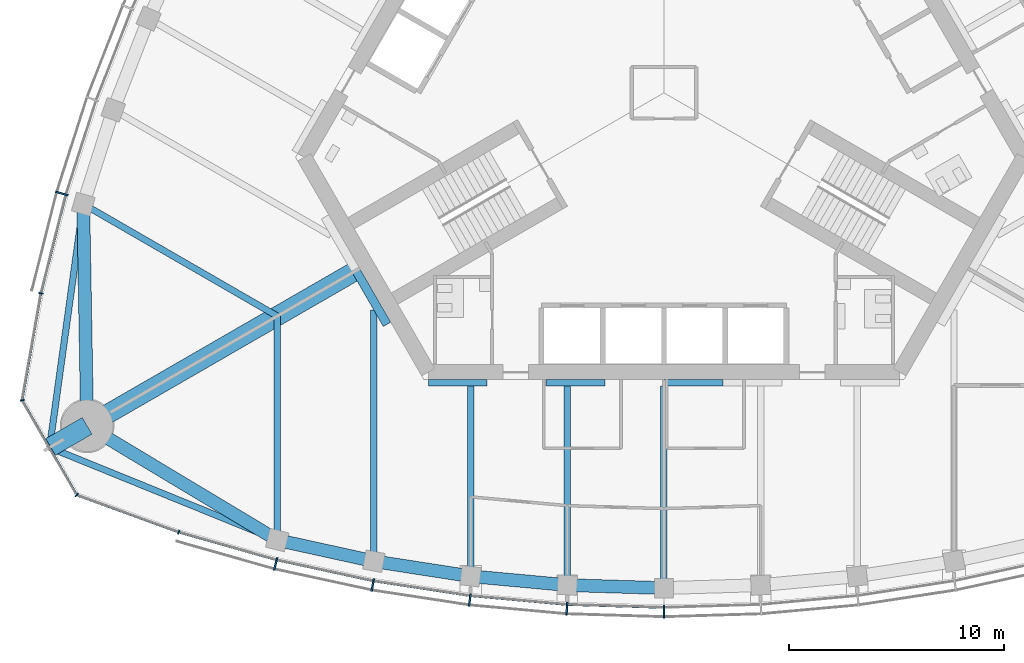
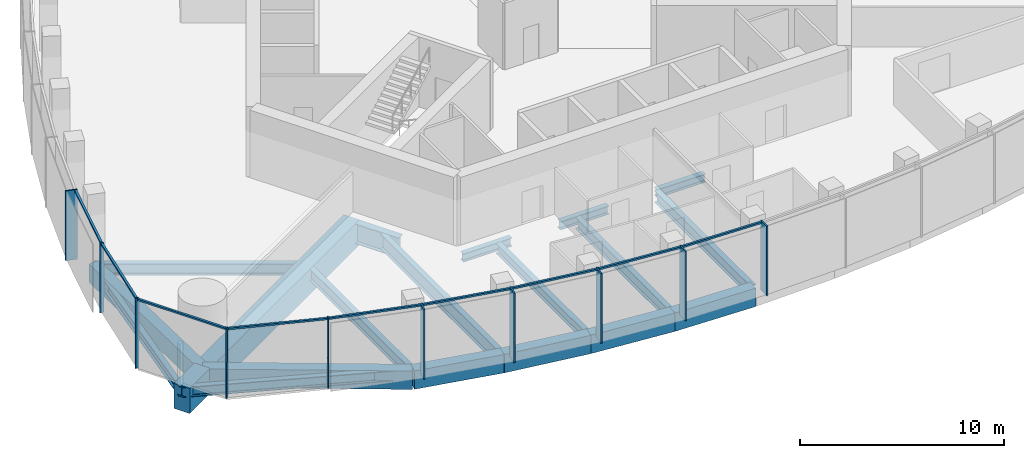
# One storey, part 2 of 16: 20 beams, 19 members, 3 elements without a shape of their own.
"""IFC4 building model written with IfcOpenShell, lengths in metres."""

from ifc_helpers import new_model, si_unit, direction, frame, origin, origin_2d, place, context, subcontext, project, spatial, rectangle, i_section, extrude, material, material_profile, profile_set, type_object, element, aggregate, save


model = new_model("IFC4")

# Units and contexts
model_context = context("Model", 3, precision=1e-05, world=origin(), true_north=direction((0.0, 1.0)))
body_context = subcontext(model_context, "Body", "Model", "MODEL_VIEW")
ifc_project = project(units=[si_unit("LENGTHUNIT", "METRE"), si_unit("AREAUNIT", "SQUARE_METRE"), si_unit("VOLUMEUNIT", "CUBIC_METRE"), si_unit("PLANEANGLEUNIT", "RADIAN"), si_unit("MASSUNIT", "GRAM", prefix="KILO")], contexts=[model_context])

# Site, building, storey
site_placement = place(None, origin())
site = spatial("IfcSite", under=ifc_project, at=site_placement, CompositionType="ELEMENT")
building_placement = place(site_placement, origin())
building = spatial("IfcBuilding", under=site, at=building_placement, Name="Trefoil Bronze Tower", CompositionType="ELEMENT")
storey_placement = place(building_placement, frame((0.0, 0.0, 297.300048828125)))
storey = spatial("IfcBuildingStorey", under=building, at=storey_placement, Name="L68", CompositionType="ELEMENT", Elevation=297.300048828125)

# Curtain wall, members
ifc_material_1 = material(Name="Tinted solar-control glass", Category="glass")
curtain_wall_type_1 = type_object("IfcCurtainWallType", Name="Bronze office curtain wall", PredefinedType="USERDEFINED", material=ifc_material_1)
curtain_wall_1_placement = place(storey_placement, origin())
curtain_wall_1 = element("IfcCurtainWall", 1, at=curtain_wall_1_placement, inside=storey, type_object=curtain_wall_type_1, Name="CW-A L68 F1", ObjectType="CURTAIN WALL", PredefinedType="USERDEFINED")
ifc_material_2 = material(Name="Bronze-finish aluminium", Category="aluminium")
ifc_material_profile_1 = material_profile(ifc_material_2, rectangle(XDim=0.60009765625, YDim=0.080078125, at=origin_2d()), Name="CW-A mullion")
ifc_profile_set_1 = profile_set([ifc_material_profile_1], Name="Bronze-finish aluminium")
member_type_1 = type_object("IfcMemberType", Name="Bronze office curtain wall mullion", PredefinedType="MULLION", material=ifc_profile_set_1)
member_1_placement = place(storey_placement, frame((-18.07275390625, -21.931884765625, 0.0), z_axis=(0.0, 0.0, 1.0), x_axis=(0.242394494031, 0.97017777199, 0.0)))
member_1 = element("IfcMember", 2, at=member_1_placement, type_object=member_type_1, Name="CW-A L68 F1 mullion 2", PredefinedType="MULLION", context=body_context, shape_type="SweptSolid", body=[
    extrude(rectangle(XDim=0.60009765625, YDim=0.080078125, at=origin_2d()), origin(), (0.0, 0.0, 1.0), 4.179931640625),
])
member_2_placement = place(storey_placement, frame((-13.554443359375, -22.911376953125, 0.0), z_axis=(0.0, 0.0, 1.0), x_axis=(0.181667218242, 0.983360067227, 0.0)))
member_2 = element("IfcMember", 3, at=member_2_placement, type_object=member_type_1, Name="CW-A L68 F1 mullion 3", PredefinedType="MULLION", context=body_context, shape_type="SweptSolid", body=[
    extrude(rectangle(XDim=0.60009765625, YDim=0.080078125, at=origin_2d()), origin(), (0.0, 0.0, 1.0), 4.179931640625),
])
member_3_placement = place(storey_placement, frame((-9.036376953125, -23.602783203125, 0.0), z_axis=(0.0, 0.0, 1.0), x_axis=(0.121109330868, 0.992639174109, 0.0)))
member_3 = element("IfcMember", 4, at=member_3_placement, type_object=member_type_1, Name="CW-A L68 F1 mullion 4", PredefinedType="MULLION", context=body_context, shape_type="SweptSolid", body=[
    extrude(rectangle(XDim=0.60009765625, YDim=0.080078125, at=origin_2d()), origin(), (0.0, 0.0, 1.0), 4.179931640625),
])
member_4_placement = place(storey_placement, frame((-4.51806640625, -24.014892578125, 0.0), z_axis=(0.0, 0.0, 1.0), x_axis=(0.060554040199, 0.998164920349, 0.0)))
member_4 = element("IfcMember", 5, at=member_4_placement, type_object=member_type_1, Name="CW-A L68 F1 mullion 5", PredefinedType="MULLION", context=body_context, shape_type="SweptSolid", body=[
    extrude(rectangle(XDim=0.60009765625, YDim=0.080078125, at=origin_2d()), origin(), (0.0, 0.0, 1.0), 4.179931640625),
])
member_5_placement = place(storey_placement, frame((0.0, -24.151611328125, 0.0), z_axis=(0.0, 0.0, 1.0), x_axis=(0.0, 1.0, 0.0)))
member_5 = element("IfcMember", 6, at=member_5_placement, type_object=member_type_1, Name="CW-A L68 F1 mullion 6", PredefinedType="MULLION", context=body_context, shape_type="SweptSolid", body=[
    extrude(rectangle(XDim=0.60009765625, YDim=0.080078125, at=origin_2d()), origin(), (0.0, 0.0, 1.0), 4.179931640625),
])

# Curtain wall, member
curtain_wall_2_placement = place(storey_placement, origin())
curtain_wall_2 = element("IfcCurtainWall", 7, at=curtain_wall_2_placement, inside=storey, type_object=curtain_wall_type_1, Name="CW-A L68 F3", ObjectType="CURTAIN WALL", PredefinedType="USERDEFINED")
member_6_placement = place(storey_placement, frame((-28.02978515625, -4.685546875, 0.0), z_axis=(0.0, 0.0, 1.0), x_axis=(0.961395843746, -0.275169096426, 0.0)))
member_6 = element("IfcMember", 8, at=member_6_placement, type_object=member_type_1, Name="CW-A L68 F3 mullion 10", PredefinedType="MULLION", context=body_context, shape_type="SweptSolid", body=[
    extrude(rectangle(XDim=0.60009765625, YDim=0.080078125, at=origin_2d()), origin(), (0.0, 0.0, 1.0), 4.179931640625),
])

# Member
ifc_material_3 = material(Name="Bronze-finish aluminium", Category="aluminium")
ifc_material_profile_2 = material_profile(ifc_material_3, rectangle(XDim=0.1201171875, YDim=0.10009765625, at=origin_2d()), Name="CW-A transom")
ifc_profile_set_2 = profile_set([ifc_material_profile_2], Name="Bronze-finish aluminium")
member_type_2 = type_object("IfcMemberType", Name="Bronze office curtain wall transom", PredefinedType="USERDEFINED", material=ifc_profile_set_2)
member_7_placement = place(storey_placement, frame((-22.537109375, -20.458740234375, 4.1298828125), z_axis=(0.962102611578, -0.272687668944, 0.0), x_axis=(0.272687668944, 0.962102611578, 0.0)))
member_7 = element("IfcMember", 9, at=member_7_placement, type_object=member_type_2, Name="CW-A L68 F1 transom 1", ObjectType="TRANSOM", PredefinedType="USERDEFINED", context=body_context, shape_type="SweptSolid", body=[
    extrude(rectangle(XDim=0.1201171875, YDim=0.10009765625, at=origin_2d()), origin(), (0.0, 0.0, 1.0), 4.6474609375),
])

member_8_placement = place(storey_placement, frame((-17.982177734375, -21.7470703125, 4.1298828125), z_axis=(0.977303780028, -0.211842681117, 0.0), x_axis=(0.211842681117, 0.977303780028, 0.0)))
member_8 = element("IfcMember", 10, at=member_8_placement, type_object=member_type_2, Name="CW-A L68 F1 transom 2", ObjectType="TRANSOM", PredefinedType="USERDEFINED", context=body_context, shape_type="SweptSolid", body=[
    extrude(rectangle(XDim=0.1201171875, YDim=0.10009765625, at=origin_2d()), origin(), (0.0, 0.0, 1.0), 4.524658203125),
])

member_9_placement = place(storey_placement, frame((-13.4755859375, -22.72119140625, 4.1298828125), z_axis=(0.988485016014, -0.151318779787, 0.0), x_axis=(0.151318779787, 0.988485016014, 0.0)))
member_9 = element("IfcMember", 11, at=member_9_placement, type_object=member_type_2, Name="CW-A L68 F1 transom 3", ObjectType="TRANSOM", PredefinedType="USERDEFINED", context=body_context, shape_type="SweptSolid", body=[
    extrude(rectangle(XDim=0.1201171875, YDim=0.10009765625, at=origin_2d()), origin(), (0.0, 0.0, 1.0), 4.472412109375),
])

member_10_placement = place(storey_placement, frame((-8.96923828125, -23.408203125, 4.1298828125), z_axis=(0.995868373079, -0.090808499059, 0.0), x_axis=(0.090808499059, 0.995868373079, 0.0)))
member_10 = element("IfcMember", 12, at=member_10_placement, type_object=member_type_2, Name="CW-A L68 F1 transom 4", ObjectType="TRANSOM", PredefinedType="USERDEFINED", context=body_context, shape_type="SweptSolid", body=[
    extrude(rectangle(XDim=0.1201171875, YDim=0.10009765625, at=origin_2d()), origin(), (0.0, 0.0, 1.0), 4.438720703125),
])

member_11_placement = place(storey_placement, frame((-4.463134765625, -23.81640625, 4.1298828125), z_axis=(0.99954057115, -0.030309183848, 0.0), x_axis=(0.030309183848, 0.99954057115, 0.0)))
member_11 = element("IfcMember", 13, at=member_11_placement, type_object=member_type_2, Name="CW-A L68 F1 transom 5", ObjectType="TRANSOM", PredefinedType="USERDEFINED", context=body_context, shape_type="SweptSolid", body=[
    extrude(rectangle(XDim=0.1201171875, YDim=0.10009765625, at=origin_2d()), origin(), (0.0, 0.0, 1.0), 4.422119140625),
])

aggregate(curtain_wall_1, [member_1, member_2, member_3, member_4, member_5, member_7, member_8, member_9, member_10, member_11])

member_12_placement = place(storey_placement, frame((-27.84814453125, -4.782470703125, 4.1298828125), z_axis=(-0.244908148095, -0.969546285123, 0.0), x_axis=(0.969546285123, -0.244908148095, 0.0)))
member_12 = element("IfcMember", 14, at=member_12_placement, type_object=member_type_2, Name="CW-A L68 F3 transom 10", ObjectType="TRANSOM", PredefinedType="USERDEFINED", context=body_context, shape_type="SweptSolid", body=[
    extrude(rectangle(XDim=0.1201171875, YDim=0.10009765625, at=origin_2d()), origin(), (0.0, 0.0, 1.0), 4.6474609375),
])

aggregate(curtain_wall_2, [member_6, member_12])

# Curtain wall, members
ifc_material_4 = material(Name="Tinted solar-control glass", Category="glass")
curtain_wall_type_2 = type_object("IfcCurtainWallType", Name="Bronze rounded corner curtain wall", PredefinedType="USERDEFINED", material=ifc_material_4)
curtain_wall_3_placement = place(storey_placement, origin())
curtain_wall_3 = element("IfcCurtainWall", 15, at=curtain_wall_3_placement, inside=storey, type_object=curtain_wall_type_2, Name="CW-B L68 K3", ObjectType="CURTAIN WALL", PredefinedType="USERDEFINED")
ifc_material_5 = material(Name="Bronze-finish aluminium", Category="aluminium")
ifc_material_profile_3 = material_profile(ifc_material_5, rectangle(XDim=0.199951171875, YDim=0.06005859375, at=origin_2d()), Name="CW-B mullion")
ifc_profile_set_3 = profile_set([ifc_material_profile_3], Name="Bronze-finish aluminium")
member_type_3 = type_object("IfcMemberType", Name="Bronze rounded corner curtain wall mullion", PredefinedType="MULLION", material=ifc_profile_set_3)
member_13_placement = place(storey_placement, frame((-28.99755859375, -9.334228515625, 0.0), z_axis=(0.0, 0.0, 1.0), x_axis=(0.984807753012, -0.173648177667, 0.0)))
member_13 = element("IfcMember", 16, at=member_13_placement, type_object=member_type_3, Name="CW-B L68 K3 mullion 1", PredefinedType="MULLION", context=body_context, shape_type="SweptSolid", body=[
    extrude(rectangle(XDim=0.199951171875, YDim=0.06005859375, at=origin_2d()), origin(), (0.0, 0.0, 1.0), 4.179931640625),
])
member_14_placement = place(storey_placement, frame((-29.86865234375, -14.30908203125, 0.0), z_axis=(0.0, 0.0, 1.0), x_axis=(0.984807753012, 0.173648177667, 0.0)))
member_14 = element("IfcMember", 17, at=member_14_placement, type_object=member_type_3, Name="CW-B L68 K3 mullion 2", PredefinedType="MULLION", context=body_context, shape_type="SweptSolid", body=[
    extrude(rectangle(XDim=0.199951171875, YDim=0.06005859375, at=origin_2d()), origin(), (0.0, 0.0, 1.0), 4.179931640625),
])
member_15_placement = place(storey_placement, frame((-27.326416015625, -18.712646484375, 0.0), z_axis=(0.0, 0.0, 1.0), x_axis=(0.642787609687, 0.766044443119, 0.0)))
member_15 = element("IfcMember", 18, at=member_15_placement, type_object=member_type_3, Name="CW-B L68 K3 mullion 3", PredefinedType="MULLION", context=body_context, shape_type="SweptSolid", body=[
    extrude(rectangle(XDim=0.199951171875, YDim=0.06005859375, at=origin_2d()), origin(), (0.0, 0.0, 1.0), 4.179931640625),
])
member_16_placement = place(storey_placement, frame((-22.58251953125, -20.445556640625, 0.0), z_axis=(0.0, 0.0, 1.0), x_axis=(0.342020143326, 0.939692620786, 0.0)))
member_16 = element("IfcMember", 19, at=member_16_placement, type_object=member_type_3, Name="CW-B L68 K3 mullion 4", PredefinedType="MULLION", context=body_context, shape_type="SweptSolid", body=[
    extrude(rectangle(XDim=0.199951171875, YDim=0.06005859375, at=origin_2d()), origin(), (0.0, 0.0, 1.0), 4.179931640625),
])
ifc_material_6 = material(Name="Bronze-finish aluminium", Category="aluminium")
ifc_material_profile_4 = material_profile(ifc_material_6, rectangle(XDim=0.1201171875, YDim=0.10009765625, at=origin_2d()), Name="CW-B transom")
ifc_profile_set_4 = profile_set([ifc_material_profile_4], Name="Bronze-finish aluminium")
member_type_4 = type_object("IfcMemberType", Name="Bronze rounded corner curtain wall transom", PredefinedType="USERDEFINED", material=ifc_profile_set_4)
member_17_placement = place(storey_placement, frame((-29.0029296875, -9.36376953125, 4.1298828125), z_axis=(-0.173633591509, -0.984810324834, 0.0), x_axis=(0.984810324834, -0.173633591509, 0.0)))
member_17 = element("IfcMember", 20, at=member_17_placement, type_object=member_type_4, Name="CW-B L68 K3 transom 1", ObjectType="TRANSOM", PredefinedType="USERDEFINED", context=body_context, shape_type="SweptSolid", body=[
    extrude(rectangle(XDim=0.1201171875, YDim=0.10009765625, at=origin_2d()), origin(), (0.0, 0.0, 1.0), 4.956298828125),
])
member_18_placement = place(storey_placement, frame((-29.841796875, -14.36767578125, 4.1298828125), z_axis=(0.499985403706, -0.866033830794, 0.0), x_axis=(0.866033830794, 0.499985403706, 0.0)))
member_18 = element("IfcMember", 21, at=member_18_placement, type_object=member_type_4, Name="CW-B L68 K3 transom 2", ObjectType="TRANSOM", PredefinedType="USERDEFINED", context=body_context, shape_type="SweptSolid", body=[
    extrude(rectangle(XDim=0.1201171875, YDim=0.10009765625, at=origin_2d()), origin(), (0.0, 0.0, 1.0), 4.956298828125),
])
member_19_placement = place(storey_placement, frame((-27.26806640625, -18.740234375, 4.1298828125), z_axis=(0.93969990549, -0.342000128103, 0.0), x_axis=(0.342000128103, 0.93969990549, 0.0)))
member_19 = element("IfcMember", 22, at=member_19_placement, type_object=member_type_4, Name="CW-B L68 K3 transom 3", ObjectType="TRANSOM", PredefinedType="USERDEFINED", context=body_context, shape_type="SweptSolid", body=[
    extrude(rectangle(XDim=0.1201171875, YDim=0.10009765625, at=origin_2d()), origin(), (0.0, 0.0, 1.0), 4.956298828125),
])
aggregate(curtain_wall_3, [member_13, member_14, member_15, member_16, member_17, member_18, member_19])

# Beams
ifc_material_7 = material(Name="Steel C355", Category="steel")
ifc_material_profile_5 = material_profile(ifc_material_7, i_section(OverallWidth=0.300048828125, OverallDepth=0.5, WebThickness=0.014404296875, FlangeThickness=0.028076171875, FilletRadius=0.027099609375, at=origin_2d()), Name="HEB 500")
ifc_profile_set_5 = profile_set([ifc_material_profile_5], Name="Steel C355")
beam_type_1 = type_object("IfcBeamType", Name="Core seat beam HEB 500", PredefinedType="BEAM", material=ifc_profile_set_5)
for number, where, z_axis, x_axis, name in (
    (23, (-10.9697265625, -13.5, -0.449951171875), (1.0, 0.0, 0.0), (0.0, 1.0, 0.0), "Core seat beam F1/-2 L68"),
    (24, (-5.48486328125, -13.5, -0.449951171875), (1.0, 0.0, 0.0), (0.0, 1.0, 0.0), "Core seat beam F1/-1 L68"),
    (25, (0.0, -13.5, -0.449951171875), (1.0, 0.0, 0.0), (0.0, 1.0, 0.0), "Core seat beam F1/+0 L68"),
):
    element("IfcBeam", number, at=place(storey_placement, frame(where, z_axis=z_axis, x_axis=x_axis)), inside=storey, type_object=beam_type_1, Name=name, PredefinedType="BEAM", context=body_context, shape_type="SweptSolid", body=[
        extrude(i_section(OverallWidth=0.300048828125, OverallDepth=0.5, WebThickness=0.014404296875, FlangeThickness=0.028076171875, FilletRadius=0.027099609375, at=origin_2d()), origin(), (0.0, 0.0, 1.0), 2.742431640625),
    ])
ifc_material_8 = material(Name="Steel C355", Category="steel")
ifc_material_profile_6 = material_profile(ifc_material_8, i_section(OverallWidth=0.39990234375, OverallDepth=1.199951171875, WebThickness=0.02001953125, FlangeThickness=0.0400390625, FilletRadius=0.010009765625, at=origin_2d()), Name="WPG 1200")
ifc_profile_set_6 = profile_set([ifc_material_profile_6], Name="Steel C355")
beam_type_2 = type_object("IfcBeamType", Name="Core seat beam WPG 1200", PredefinedType="BEAM", material=ifc_profile_set_6)
beam_1_placement = place(storey_placement, frame((-14.332763671875, -8.27490234375, -0.800048828125), z_axis=(0.499995765644, -0.866027848477, 0.0), x_axis=(0.866027848477, 0.499995765644, 0.0)))
element("IfcBeam", 26, at=beam_1_placement, inside=storey, type_object=beam_type_2, Name="Core seat beam F1/-3 L68", PredefinedType="BEAM", context=body_context, shape_type="SweptSolid", body=[
    extrude(i_section(OverallWidth=0.39990234375, OverallDepth=1.199951171875, WebThickness=0.02001953125, FlangeThickness=0.0400390625, FilletRadius=0.010009765625, at=origin_2d()), origin(), (0.0, 0.0, 1.0), 2.88671875),
])
ifc_material_9 = material(Name="Concrete B80", Category="concrete")
ifc_material_profile_7 = material_profile(ifc_material_9, rectangle(XDim=0.89990234375, YDim=1.5, at=origin_2d()), Name="RC 900x1500")
ifc_profile_set_7 = profile_set([ifc_material_profile_7], Name="Concrete B80")
beam_type_3 = type_object("IfcBeamType", Name="Corner cantilever RC 900x1500", PredefinedType="BEAM", material=ifc_profile_set_7)
beam_2_placement = place(storey_placement, frame((-26.8466796875, -15.5, -0.949951171875), z_axis=(-0.866010470582, -0.500025864173, 0.0), x_axis=(0.500025864173, -0.866010470582, 0.0)))
element("IfcBeam", 27, at=beam_2_placement, inside=storey, type_object=beam_type_3, Name="Corner cantilever K3 L68", PredefinedType="BEAM", context=body_context, shape_type="SweptSolid", body=[
    extrude(rectangle(XDim=0.89990234375, YDim=1.5, at=origin_2d()), origin(), (0.0, 0.0, 1.0), 2.02001953125),
])
ifc_material_10 = material(Name="Steel C355", Category="steel")
ifc_material_profile_8 = material_profile(ifc_material_10, i_section(OverallWidth=0.300048828125, OverallDepth=0.60009765625, WebThickness=0.015380859375, FlangeThickness=0.030029296875, FilletRadius=0.027099609375, at=origin_2d()), Name="HEB 600")
ifc_profile_set_8 = profile_set([ifc_material_profile_8], Name="Steel C355")
beam_type_4 = type_object("IfcBeamType", Name="Corner edge beam HEB 600", PredefinedType="BEAM", material=ifc_profile_set_8)
beam_3_placement = place(storey_placement, frame((-18.0, -20.816162109375, -0.5), z_axis=(-0.926419351914, 0.376493272714, 0.0), x_axis=(-0.376493272714, -0.926419351914, 0.0)))
element("IfcBeam", 28, at=beam_3_placement, inside=storey, type_object=beam_type_4, Name="Corner edge beam F1B L68", PredefinedType="BEAM", context=body_context, shape_type="SweptSolid", body=[
    extrude(i_section(OverallWidth=0.300048828125, OverallDepth=0.60009765625, WebThickness=0.015380859375, FlangeThickness=0.030029296875, FilletRadius=0.027099609375, at=origin_2d()), origin(), (0.0, 0.0, 1.0), 11.4375),
])
beam_4_placement = place(storey_placement, frame((-27.02734375, -5.180419921875, -0.5), z_axis=(-0.137143714313, -0.990551160529, 0.0), x_axis=(0.990551160529, -0.137143714313, 0.0)))
element("IfcBeam", 29, at=beam_4_placement, inside=storey, type_object=beam_type_4, Name="Corner edge beam F3A L68", PredefinedType="BEAM", context=body_context, shape_type="SweptSolid", body=[
    extrude(i_section(OverallWidth=0.300048828125, OverallDepth=0.60009765625, WebThickness=0.015380859375, FlangeThickness=0.030029296875, FilletRadius=0.027099609375, at=origin_2d()), origin(), (0.0, 0.0, 1.0), 11.437744140625),
])
ifc_material_11 = material(Name="Concrete B80", Category="concrete")
ifc_material_profile_9 = material_profile(ifc_material_11, rectangle(XDim=0.89990234375, YDim=1.5, at=origin_2d()), Name="RC 900x1500")
ifc_profile_set_9 = profile_set([ifc_material_profile_9], Name="Concrete B80")
beam_type_5 = type_object("IfcBeamType", Name="Corner girder RC 900x1500", PredefinedType="BEAM", material=ifc_profile_set_9)
beam_5_placement = place(storey_placement, frame((-14.159423828125, -8.175048828125, -0.949951171875), z_axis=(-0.866026568746, -0.499997982221, 0.0), x_axis=(0.499997982221, -0.866026568746, 0.0)))
element("IfcBeam", 30, at=beam_5_placement, inside=storey, type_object=beam_type_5, Name="Corner girder K3 L68", PredefinedType="BEAM", context=body_context, shape_type="SweptSolid", body=[
    extrude(rectangle(XDim=0.89990234375, YDim=1.5, at=origin_2d()), origin(), (0.0, 0.0, 1.0), 14.64990234375),
])
ifc_material_12 = material(Name="Concrete B80", Category="concrete")
ifc_material_profile_10 = material_profile(ifc_material_12, rectangle(XDim=0.60009765625, YDim=1.10009765625, at=origin_2d()), Name="RC 600x1100")
ifc_profile_set_10 = profile_set([ifc_material_profile_10], Name="Concrete B80")
beam_type_6 = type_object("IfcBeamType", Name="End spandrel beam RC 600x1100", PredefinedType="SPANDREL", material=ifc_profile_set_10)
for number, where, z_axis, x_axis, name in (
    (31, (-26.8466796875, -15.5, -0.75), (0.857144173035, -0.515076563855, 0.0), (0.515076563855, 0.857144173035, 0.0), "Spandrel F1.1 L68"),
    (32, (-27.02734375, -5.180419921875, -0.75), (0.017504237714, -0.999846789094, 0.0), (0.999846789094, 0.017504237714, 0.0), "Spandrel F3.10 L68"),
):
    element("IfcBeam", number, at=place(storey_placement, frame(where, z_axis=z_axis, x_axis=x_axis)), inside=storey, type_object=beam_type_6, Name=name, PredefinedType="SPANDREL", context=body_context, shape_type="SweptSolid", body=[
        extrude(rectangle(XDim=0.60009765625, YDim=1.10009765625, at=origin_2d()), origin(), (0.0, 0.0, 1.0), 10.321044921875),
    ])
ifc_material_13 = material(Name="Steel C355", Category="steel")
ifc_material_profile_11 = material_profile(ifc_material_13, i_section(OverallWidth=0.300048828125, OverallDepth=0.60009765625, WebThickness=0.015380859375, FlangeThickness=0.030029296875, FilletRadius=0.027099609375, at=origin_2d()), Name="HEB 600")
ifc_profile_set_11 = profile_set([ifc_material_profile_11], Name="Steel C355")
beam_type_7 = type_object("IfcBeamType", Name="Floor beam HEB 600", PredefinedType="BEAM", material=ifc_profile_set_11)
beam_6_placement = place(storey_placement, frame((-9.0, -22.499267578125, -0.5), z_axis=(0.0, 1.0, 0.0), x_axis=(-1.0, 0.0, 0.0)))
element("IfcBeam", 33, at=beam_6_placement, inside=storey, type_object=beam_type_7, Name="Floor beam F1/-2 L68", PredefinedType="BEAM", context=body_context, shape_type="SweptSolid", body=[
    extrude(i_section(OverallWidth=0.300048828125, OverallDepth=0.60009765625, WebThickness=0.015380859375, FlangeThickness=0.030029296875, FilletRadius=0.027099609375, at=origin_2d()), origin(), (0.0, 0.0, 1.0), 8.849365234375),
])
ifc_material_14 = material(Name="Steel C355", Category="steel")
ifc_material_profile_12 = material_profile(ifc_material_14, i_section(OverallWidth=0.300048828125, OverallDepth=0.699951171875, WebThickness=0.01708984375, FlangeThickness=0.031982421875, FilletRadius=0.027099609375, at=origin_2d()), Name="HEB 700")
ifc_profile_set_12 = profile_set([ifc_material_profile_12], Name="Steel C355")
beam_type_8 = type_object("IfcBeamType", Name="Floor beam HEB 700", PredefinedType="BEAM", material=ifc_profile_set_12)
beam_7_placement = place(storey_placement, frame((-18.0, -20.816162109375, -0.550048828125), z_axis=(0.0, 1.0, 0.0), x_axis=(-1.0, 0.0, 0.0)))
element("IfcBeam", 34, at=beam_7_placement, inside=storey, type_object=beam_type_8, Name="Floor beam F1/-4 L68", PredefinedType="BEAM", context=body_context, shape_type="SweptSolid", body=[
    extrude(i_section(OverallWidth=0.300048828125, OverallDepth=0.699951171875, WebThickness=0.01708984375, FlangeThickness=0.031982421875, FilletRadius=0.027099609375, at=origin_2d()), origin(), (0.0, 0.0, 1.0), 10.423828125),
])
beam_8_placement = place(storey_placement, frame((-4.5, -22.913818359375, -0.550048828125), z_axis=(0.0, 1.0, 0.0), x_axis=(-1.0, 0.0, 0.0)))
element("IfcBeam", 35, at=beam_8_placement, inside=storey, type_object=beam_type_8, Name="Floor beam F1/-1 L68", PredefinedType="BEAM", context=body_context, shape_type="SweptSolid", body=[
    extrude(i_section(OverallWidth=0.300048828125, OverallDepth=0.699951171875, WebThickness=0.01708984375, FlangeThickness=0.031982421875, FilletRadius=0.027099609375, at=origin_2d()), origin(), (0.0, 0.0, 1.0), 9.263916015625),
])
beam_9_placement = place(storey_placement, frame((0.0, -23.051513671875, -0.550048828125), z_axis=(0.0, 1.0, 0.0), x_axis=(-1.0, 0.0, 0.0)))
element("IfcBeam", 36, at=beam_9_placement, inside=storey, type_object=beam_type_8, Name="Floor beam F1/+0 L68", PredefinedType="BEAM", context=body_context, shape_type="SweptSolid", body=[
    extrude(i_section(OverallWidth=0.300048828125, OverallDepth=0.699951171875, WebThickness=0.01708984375, FlangeThickness=0.031982421875, FilletRadius=0.027099609375, at=origin_2d()), origin(), (0.0, 0.0, 1.0), 9.401611328125),
])
beam_10_placement = place(storey_placement, frame((-27.02734375, -5.180419921875, -0.550048828125), z_axis=(0.866026453994, -0.499998180979, 0.0), x_axis=(0.499998180979, 0.866026453994, 0.0)))
element("IfcBeam", 37, at=beam_10_placement, inside=storey, type_object=beam_type_8, Name="Floor beam F3/+4 L68", PredefinedType="BEAM", context=body_context, shape_type="SweptSolid", body=[
    extrude(i_section(OverallWidth=0.300048828125, OverallDepth=0.699951171875, WebThickness=0.01708984375, FlangeThickness=0.031982421875, FilletRadius=0.027099609375, at=origin_2d()), origin(), (0.0, 0.0, 1.0), 10.423828125),
])
ifc_material_15 = material(Name="Steel C355", Category="steel")
ifc_material_profile_13 = material_profile(ifc_material_15, i_section(OverallWidth=0.300048828125, OverallDepth=0.89990234375, WebThickness=0.0185546875, FlangeThickness=0.034912109375, FilletRadius=0.030029296875, at=origin_2d()), Name="HEB 900")
ifc_profile_set_13 = profile_set([ifc_material_profile_13], Name="Steel C355")
beam_type_9 = type_object("IfcBeamType", Name="Floor beam HEB 900", PredefinedType="BEAM", material=ifc_profile_set_13)
beam_11_placement = place(storey_placement, frame((-13.5, -21.802734375, -0.650146484375), z_axis=(0.0, 1.0, 0.0), x_axis=(-1.0, 0.0, 0.0)))
element("IfcBeam", 38, at=beam_11_placement, inside=storey, type_object=beam_type_9, Name="Floor beam F1/-3 L68", PredefinedType="BEAM", context=body_context, shape_type="SweptSolid", body=[
    extrude(i_section(OverallWidth=0.300048828125, OverallDepth=0.89990234375, WebThickness=0.0185546875, FlangeThickness=0.034912109375, FilletRadius=0.030029296875, at=origin_2d()), origin(), (0.0, 0.0, 1.0), 11.685302734375),
])
ifc_material_16 = material(Name="Concrete B80", Category="concrete")
ifc_material_profile_14 = material_profile(ifc_material_16, rectangle(XDim=0.60009765625, YDim=1.10009765625, at=origin_2d()), Name="RC 600x1100")
ifc_profile_set_14 = profile_set([ifc_material_profile_14], Name="Concrete B80")
beam_type_10 = type_object("IfcBeamType", Name="Spandrel beam RC 600x1100", PredefinedType="SPANDREL", material=ifc_profile_set_14)
beam_12_placement = place(storey_placement, frame((-18.0, -20.816162109375, -0.75), z_axis=(0.976800342355, -0.214152028182, 0.0), x_axis=(0.214152028182, 0.976800342355, 0.0)))
element("IfcBeam", 39, at=beam_12_placement, inside=storey, type_object=beam_type_10, Name="Spandrel F1.2 L68", PredefinedType="SPANDREL", context=body_context, shape_type="SweptSolid", body=[
    extrude(rectangle(XDim=0.60009765625, YDim=1.10009765625, at=origin_2d()), origin(), (0.0, 0.0, 1.0), 4.60693359375),
])
beam_13_placement = place(storey_placement, frame((-13.5, -21.802734375, -0.75), z_axis=(0.988231820946, -0.152963616816, 0.0), x_axis=(0.152963616816, 0.988231820946, 0.0)))
element("IfcBeam", 40, at=beam_13_placement, inside=storey, type_object=beam_type_10, Name="Spandrel F1.3 L68", PredefinedType="SPANDREL", context=body_context, shape_type="SweptSolid", body=[
    extrude(rectangle(XDim=0.60009765625, YDim=1.10009765625, at=origin_2d()), origin(), (0.0, 0.0, 1.0), 4.553466796875),
])
beam_14_placement = place(storey_placement, frame((-9.0, -22.499267578125, -0.75), z_axis=(0.995783550481, -0.091733966402, 0.0), x_axis=(0.091733966402, 0.995783550481, 0.0)))
element("IfcBeam", 41, at=beam_14_placement, inside=storey, type_object=beam_type_10, Name="Spandrel F1.4 L68", PredefinedType="SPANDREL", context=body_context, shape_type="SweptSolid", body=[
    extrude(rectangle(XDim=0.60009765625, YDim=1.10009765625, at=origin_2d()), origin(), (0.0, 0.0, 1.0), 4.51904296875),
])
beam_15_placement = place(storey_placement, frame((-4.5, -22.913818359375, -0.75), z_axis=(0.999532180362, -0.03058464354, 0.0), x_axis=(0.03058464354, 0.999532180362, 0.0)))
element("IfcBeam", 42, at=beam_15_placement, inside=storey, type_object=beam_type_10, Name="Spandrel F1.5 L68", PredefinedType="SPANDREL", context=body_context, shape_type="SweptSolid", body=[
    extrude(rectangle(XDim=0.60009765625, YDim=1.10009765625, at=origin_2d()), origin(), (0.0, 0.0, 1.0), 4.502197265625),
])

save(model, "model.ifc")
